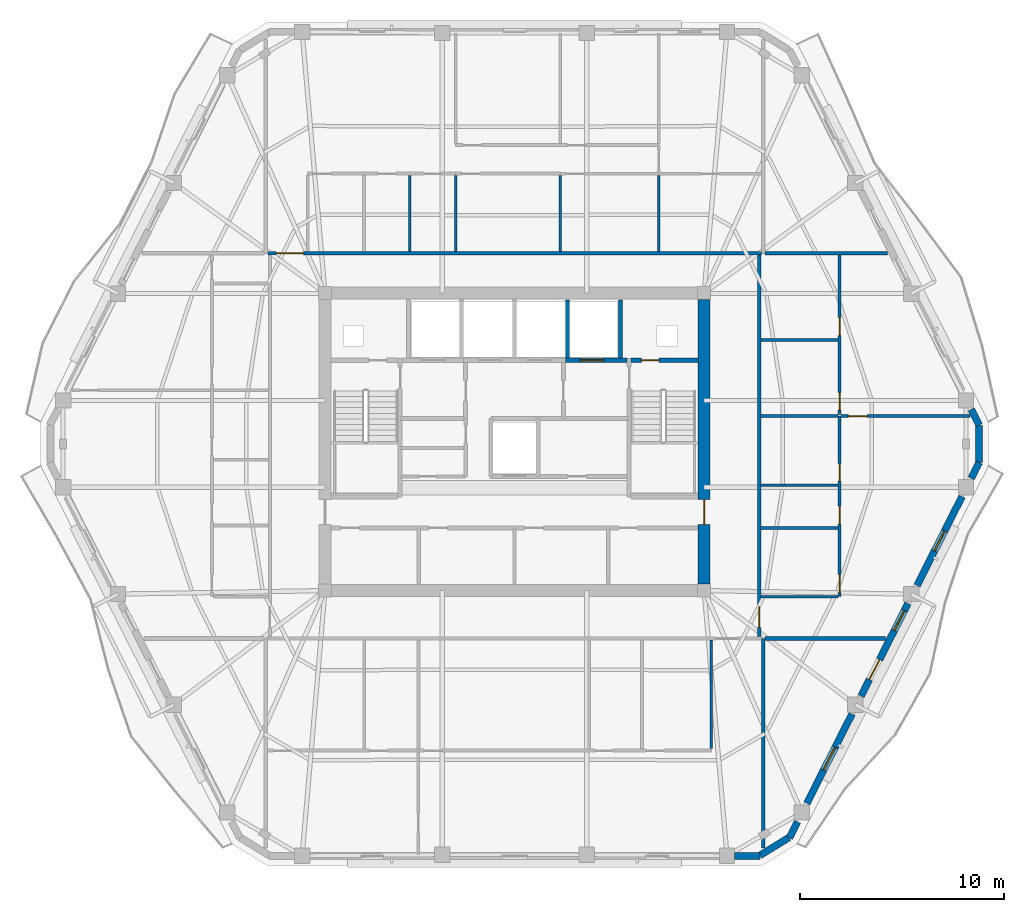
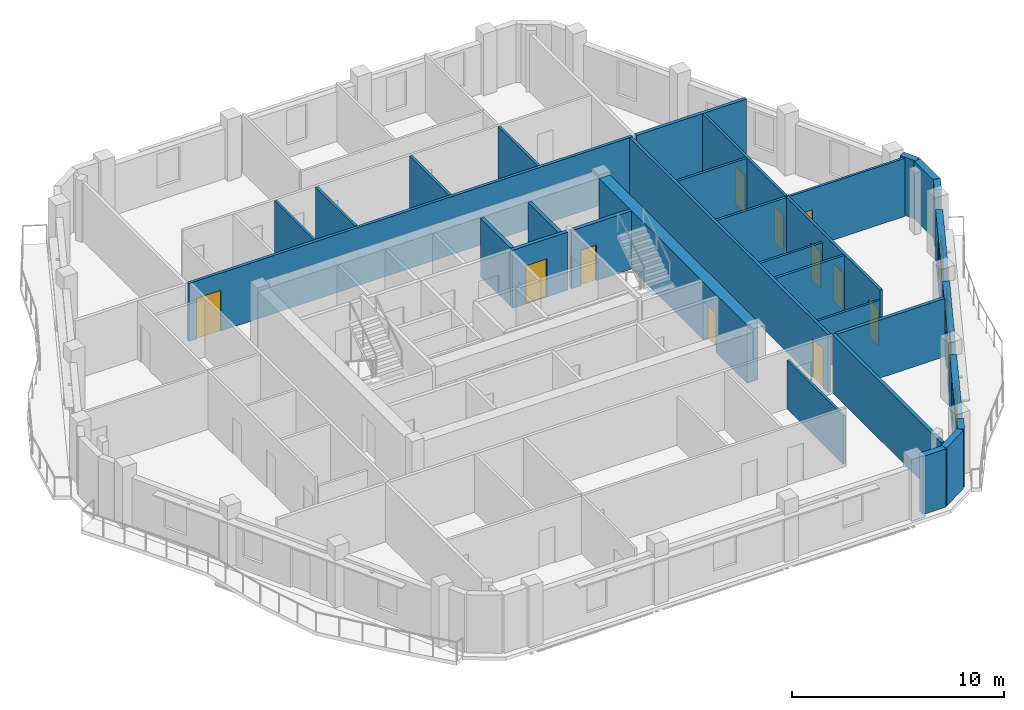
# One storey, part 6 of 12: 32 walls, 12 doors, 3 windows, 15 openings.
"""IFC4 building model written with IfcOpenShell, lengths in metres."""

from ifc_helpers import new_model, si_unit, direction, frame, frame_2d, origin, place, context, subcontext, project, spatial, rectangle, extrude, material, layer, layer_set, type_object, element, fill, save


model = new_model("IFC4")

# Units and contexts
model_context = context("Model", 3, precision=1e-05, world=origin(), true_north=direction((0.0, 1.0)))
body_context = subcontext(model_context, "Body", "Model", "MODEL_VIEW")
ifc_project = project(units=[si_unit("LENGTHUNIT", "METRE"), si_unit("AREAUNIT", "SQUARE_METRE"), si_unit("VOLUMEUNIT", "CUBIC_METRE"), si_unit("PLANEANGLEUNIT", "RADIAN"), si_unit("MASSUNIT", "GRAM", prefix="KILO")], contexts=[model_context])

# Site, building, storey
site_placement = place(None, origin())
site = spatial("IfcSite", under=ifc_project, at=site_placement, CompositionType="ELEMENT")
building_placement = place(site_placement, origin())
building = spatial("IfcBuilding", under=site, at=building_placement, Name="Cinnabar Lancet Tower", CompositionType="ELEMENT")
storey_placement = place(building_placement, frame((0.0, 0.0, 210.949951171875)))
storey = spatial("IfcBuildingStorey", under=building, at=storey_placement, Name="L56", CompositionType="ELEMENT", Elevation=210.949951171875)

# Wall, opening, door
ifc_material_1 = material(Name="Acoustic twin-stud gypsum partition", Category="gypsum")
ifc_layer_1 = layer(ifc_material_1, 0.159912109375)
ifc_layer_set_1 = layer_set([ifc_layer_1], Name="Acoustic twin-stud gypsum partition")
wall_type_1 = type_object("IfcWallType", Name="ARC-WL-CORR-160", PredefinedType="PARTITIONING", material=ifc_layer_set_1)
wall_1_placement = place(storey_placement, frame((20.294921875, 35.14990234375, 0.0), z_axis=(0.0, 0.0, 1.0), x_axis=(1.0, 0.0, 0.0)))
wall_1 = element("IfcWall", 1, at=wall_1_placement, inside=storey, type_object=wall_type_1, Name="L56 Unit N01 Corridor Wall", PredefinedType="PARTITIONING", context=body_context, shape_type="SweptSolid", body=[
    extrude(rectangle(XDim=24.2099609375, YDim=0.159912109375, at=frame_2d((12.10498046875, 0.0))), origin(), (0.0, 0.0, 1.0), 3.35009765625),
])
opening_1_placement = place(wall_1_placement, frame((0.405029296875, 0.0, 0.0)))
opening_1 = element("IfcOpeningElement", 2, at=opening_1_placement, cuts=wall_1, Name="Opening UD-02", PredefinedType="OPENING", context=body_context, shape_type="SweptSolid", body=[
    extrude(rectangle(XDim=1.35009765625, YDim=2.35009765625, at=frame_2d((0.675048828125, 1.175048828125))), frame((0.0, 0.08984375, 0.0), z_axis=(0.0, -1.0, 0.0), x_axis=(1.0, 0.0, 0.0)), (0.0, 0.0, 1.0), 0.179931640625),
])
ifc_material_2 = material(Name="Double-leaf solid timber penthouse entrance door", Category="wood")
door_type_1 = type_object("IfcDoorType", Name="ARC-DR-UNIT-PH", OperationType="NOTDEFINED", PredefinedType="DOOR", material=ifc_material_2)
door_1_placement = place(opening_1_placement, origin())
door_1 = element("IfcDoor", 3, at=door_1_placement, inside=storey, type_object=door_type_1, Name="DR-L56-N01-ENT", OperationType="SINGLE_SWING_LEFT", OverallHeight=2.35009765625, OverallWidth=1.35009765625, PredefinedType="DOOR", context=body_context, shape_type="SweptSolid", body=[
    extrude(rectangle(XDim=1.35009765625, YDim=2.35009765625, at=frame_2d((0.675048828125, 1.175048828125))), frame((0.0, 0.02490234375, 0.0), z_axis=(0.0, -1.0, 0.0), x_axis=(1.0, 0.0, 0.0)), (0.0, 0.0, 1.0), 0.050048828125),
])
fill(opening_1, door_1)

wall_2_placement = place(storey_placement, frame((44.39990234375, 16.344970703125, 0.0), z_axis=(0.0, 0.0, 1.0), x_axis=(0.0, 1.0, 0.0)))
wall_2 = element("IfcWall", 4, at=wall_2_placement, inside=storey, type_object=wall_type_1, Name="UW-L56-E01-COR", PredefinedType="PARTITIONING", context=body_context, shape_type="SweptSolid", body=[
    extrude(rectangle(XDim=18.7099609375, YDim=0.159912109375, at=frame_2d((9.35498046875, 0.0))), origin(), (0.0, 0.0, 1.0), 3.35009765625),
])
opening_2_placement = place(wall_2_placement, frame((0.449951171875, 0.0, 0.0)))
opening_2 = element("IfcOpeningElement", 5, at=opening_2_placement, cuts=wall_2, Name="Opening UD-01", PredefinedType="OPENING", context=body_context, shape_type="SweptSolid", body=[
    extrude(rectangle(XDim=1.02001953125, YDim=2.25, at=frame_2d((0.510009765625, 1.125))), frame((0.0, 0.08984375, 0.0), z_axis=(0.0, -1.0, 0.0), x_axis=(1.0, 0.0, 0.0)), (0.0, 0.0, 1.0), 0.179931640625),
])
ifc_material_3 = material(Name="Solid timber fire-rated apartment entrance door", Category="wood")
door_type_2 = type_object("IfcDoorType", Name="ARC-DR-UNIT", OperationType="NOTDEFINED", PredefinedType="DOOR", material=ifc_material_3)
door_2_placement = place(opening_2_placement, origin())
door_2 = element("IfcDoor", 6, at=door_2_placement, inside=storey, type_object=door_type_2, Name="DR-L56-E01-ENT", OperationType="SINGLE_SWING_LEFT", OverallHeight=2.25, OverallWidth=1.02001953125, PredefinedType="DOOR", context=body_context, shape_type="SweptSolid", body=[
    extrude(rectangle(XDim=1.02001953125, YDim=2.25, at=frame_2d((0.510009765625, 1.125))), frame((0.0, 0.02490234375, 0.0), z_axis=(0.0, -1.0, 0.0), x_axis=(1.0, 0.0, 0.0)), (0.0, 0.0, 1.0), 0.050048828125),
])
fill(opening_2, door_2)

# Walls
ifc_material_4 = material(Name="Fire-rated twin-frame acoustic drywall", Category="gypsum")
ifc_layer_2 = layer(ifc_material_4, 0.179931640625)
ifc_layer_set_2 = layer_set([ifc_layer_2], Name="Fire-rated twin-frame acoustic drywall")
wall_type_2 = type_object("IfcWallType", Name="ARC-WL-PARTY-180", PredefinedType="PARTITIONING", material=ifc_layer_set_2)
wall_3_placement = place(storey_placement, frame((44.60009765625, 5.968017578125, 0.0), z_axis=(0.0, 0.0, 1.0), x_axis=(0.0, 1.0, 0.0)))
element("IfcWall", 7, at=wall_3_placement, inside=storey, type_object=wall_type_2, Name="PW-L56-SPTY-446", PredefinedType="PARTITIONING", context=body_context, shape_type="SweptSolid", body=[
    extrude(rectangle(XDim=10.281982421875, YDim=0.179931640625, at=frame_2d((5.14111328125, 0.0))), origin(), (0.0, 0.0, 1.0), 3.35009765625),
])
wall_4_placement = place(storey_placement, frame((44.695068359375, 16.25, 0.0), z_axis=(0.0, 0.0, 1.0), x_axis=(1.0, 0.0, 0.0)))
element("IfcWall", 8, at=wall_4_placement, inside=storey, type_object=wall_type_2, Name="PW-L56-ESB", PredefinedType="PARTITIONING", context=body_context, shape_type="SweptSolid", body=[
    extrude(rectangle(XDim=5.89404296875, YDim=0.179931640625, at=frame_2d((2.947021484375, 0.0))), origin(), (0.0, 0.0, 1.0), 3.35009765625),
])
wall_5_placement = place(storey_placement, frame((44.695068359375, 35.14990234375, 0.0), z_axis=(0.0, 0.0, 1.0), x_axis=(1.0, 0.0, 0.0)))
element("IfcWall", 9, at=wall_5_placement, inside=storey, type_object=wall_type_2, Name="PW-L56-ENB", PredefinedType="PARTITIONING", context=body_context, shape_type="SweptSolid", body=[
    extrude(rectangle(XDim=5.994873046875, YDim=0.179931640625, at=frame_2d((2.99755859375, 0.0))), origin(), (0.0, 0.0, 1.0), 3.35009765625),
])

# Wall, opening, door
ifc_material_5 = material(Name="Autoclaved aerated concrete blockwork", Category="masonry")
ifc_layer_3 = layer(ifc_material_5, 0.199951171875)
ifc_layer_set_3 = layer_set([ifc_layer_3], Name="Autoclaved aerated concrete blockwork")
wall_type_3 = type_object("IfcWallType", Name="ARC-WL-SHAFT-200", PredefinedType="PLUMBINGWALL", material=ifc_layer_set_3)
wall_6_placement = place(storey_placement, frame((34.89990234375, 29.89990234375, 0.0), z_axis=(0.0, 0.0, 1.0), x_axis=(1.0, 0.0, 0.0)))
wall_6 = element("IfcWall", 10, at=wall_6_placement, inside=storey, type_object=wall_type_3, Name="CW-FL2-L56", PredefinedType="PLUMBINGWALL", context=body_context, shape_type="SweptSolid", body=[
    extrude(rectangle(XDim=3.01513671875, YDim=0.199951171875, at=frame_2d((1.507568359375, 0.0))), origin(), (0.0, 0.0, 1.0), 3.35009765625),
])
opening_3_placement = place(wall_6_placement, frame((0.72509765625, 0.0, 0.0)))
opening_3 = element("IfcOpeningElement", 11, at=opening_3_placement, cuts=wall_6, Name="Opening LD-02", PredefinedType="OPENING", context=body_context, shape_type="SweptSolid", body=[
    extrude(rectangle(XDim=1.14990234375, YDim=2.199951171875, at=frame_2d((0.574951171875, 1.10009765625))), frame((0.0, 0.10986328125, 0.0), z_axis=(0.0, -1.0, 0.0), x_axis=(1.0, 0.0, 0.0)), (0.0, 0.0, 1.0), 0.219970703125),
])
ifc_material_6 = material(Name="Fire-rated stainless steel firefighting lift landing door", Category="steel")
door_type_3 = type_object("IfcDoorType", Name="ARC-DR-LD-FIRE", OperationType="NOTDEFINED", PredefinedType="DOOR", material=ifc_material_6)
door_3_placement = place(opening_3_placement, origin())
door_3 = element("IfcDoor", 12, at=door_3_placement, inside=storey, type_object=door_type_3, Name="L56 Firefighting Lift FL-2 Landing Door", OperationType="DOUBLE_DOOR_SLIDING", OverallHeight=2.199951171875, OverallWidth=1.14990234375, PredefinedType="DOOR", context=body_context, shape_type="SweptSolid", body=[
    extrude(rectangle(XDim=1.14990234375, YDim=2.199951171875, at=frame_2d((0.574951171875, 1.10009765625))), frame((0.0, 0.02490234375, 0.0), z_axis=(0.0, -1.0, 0.0), x_axis=(1.0, 0.0, 0.0)), (0.0, 0.0, 1.0), 0.050048828125),
])
fill(opening_3, door_3)

wall_7_placement = place(storey_placement, frame((38.125, 29.89990234375, 0.0), z_axis=(0.0, 0.0, 1.0), x_axis=(1.0, 0.0, 0.0)))
wall_7 = element("IfcWall", 13, at=wall_7_placement, inside=storey, type_object=wall_type_3, Name="CW-NSH-E-L56", PredefinedType="PLUMBINGWALL", context=body_context, shape_type="SweptSolid", body=[
    extrude(rectangle(XDim=3.27001953125, YDim=0.199951171875, at=frame_2d((1.635009765625, 0.0))), origin(), (0.0, 0.0, 1.0), 3.35009765625),
])
opening_4_placement = place(wall_7_placement, frame((0.5, 0.0, 0.0)))
opening_4 = element("IfcOpeningElement", 14, at=opening_4_placement, cuts=wall_7, Name="Opening PD-02", PredefinedType="OPENING", context=body_context, shape_type="SweptSolid", body=[
    extrude(rectangle(XDim=0.85009765625, YDim=2.050048828125, at=frame_2d((0.425048828125, 1.02490234375))), frame((0.0, 0.10986328125, 0.0), z_axis=(0.0, -1.0, 0.0), x_axis=(1.0, 0.0, 0.0)), (0.0, 0.0, 1.0), 0.219970703125),
])
ifc_material_7 = material(Name="Fire-rated steel riser access door", Category="steel")
door_type_4 = type_object("IfcDoorType", Name="ARC-DR-RISER", OperationType="NOTDEFINED", PredefinedType="DOOR", material=ifc_material_7)
door_4_placement = place(opening_4_placement, origin())
door_4 = element("IfcDoor", 15, at=door_4_placement, inside=storey, type_object=door_type_4, Name="L56 East Riser Access Door", OperationType="SINGLE_SWING_RIGHT", OverallHeight=2.050048828125, OverallWidth=0.85009765625, PredefinedType="DOOR", context=body_context, shape_type="SweptSolid", body=[
    extrude(rectangle(XDim=0.85009765625, YDim=2.050048828125, at=frame_2d((0.425048828125, 1.02490234375))), frame((0.0, 0.02490234375, 0.0), z_axis=(0.0, -1.0, 0.0), x_axis=(1.0, 0.0, 0.0)), (0.0, 0.0, 1.0), 0.050048828125),
])
fill(opening_4, door_4)

# Walls
for number, where, z_axis, x_axis, name in (
    (16, (35.0, 30.0, 0.0), (0.0, 0.0, 1.0), (0.0, 1.0, 0.0), "CW-NSH-D4-L56"),
    (17, (37.60009765625, 30.0, 0.0), (0.0, 0.0, 1.0), (0.0, 1.0, 0.0), "CW-NSH-D5-L56"),
):
    element("IfcWall", number, at=place(storey_placement, frame(where, z_axis=z_axis, x_axis=x_axis)), inside=storey, type_object=wall_type_3, Name=name, PredefinedType="PLUMBINGWALL", context=body_context, shape_type="SweptSolid", body=[
        extrude(rectangle(XDim=2.85009765625, YDim=0.199951171875, at=frame_2d((1.425048828125, 0.0))), origin(), (0.0, 0.0, 1.0), 3.35009765625),
    ])
ifc_material_8 = material(Name="Gypsum plasterboard stud partition", Category="gypsum")
ifc_layer_4 = layer(ifc_material_8, 0.125)
ifc_layer_set_4 = layer_set([ifc_layer_4], Name="Gypsum plasterboard stud partition")
wall_type_4 = type_object("IfcWallType", Name="ARC-WL-UNIT-125", PredefinedType="PARTITIONING", material=ifc_layer_set_4)
wall_8_placement = place(storey_placement, frame((42.050048828125, 10.85693359375, 0.0), z_axis=(0.0, 0.0, 1.0), x_axis=(0.0, 1.0, 0.0)))
element("IfcWall", 18, at=wall_8_placement, inside=storey, type_object=wall_type_4, Name="UW-L56-S01-FOYW", PredefinedType="PARTITIONING", context=body_context, shape_type="SweptSolid", body=[
    extrude(rectangle(XDim=5.30810546875, YDim=0.125, at=frame_2d((2.654052734375, 0.0))), origin(), (0.0, 0.0, 1.0), 2.80712890625),
])
wall_9_placement = place(storey_placement, frame((27.261962890625, 35.235107421875, 0.0), z_axis=(0.0, 0.0, 1.0), x_axis=(0.0, 1.0, 0.0)))
element("IfcWall", 19, at=wall_9_placement, inside=storey, type_object=wall_type_4, Name="UW-L56-N01-STD", PredefinedType="PARTITIONING", context=body_context, shape_type="SweptSolid", body=[
    extrude(rectangle(XDim=3.721923828125, YDim=0.125, at=frame_2d((1.86083984375, 0.0))), origin(), (0.0, 0.0, 1.0), 3.35009765625),
])
wall_10_placement = place(storey_placement, frame((44.485107421875, 18.300048828125, 0.0), z_axis=(0.0, 0.0, 1.0), x_axis=(1.0, 0.0, 0.0)))
element("IfcWall", 20, at=wall_10_placement, inside=storey, type_object=wall_type_4, Name="UW-L56-E01-FOYN", PredefinedType="PARTITIONING", context=body_context, shape_type="SweptSolid", body=[
    extrude(rectangle(XDim=3.77978515625, YDim=0.125, at=frame_2d((1.889892578125, 0.0))), origin(), (0.0, 0.0, 1.0), 2.80712890625),
])

# Wall, opening, door
wall_11_placement = place(storey_placement, frame((48.425048828125, 27.166015625, 0.0), z_axis=(0.0, 0.0, 1.0), x_axis=(1.0, 0.0, 0.0)))
wall_11 = element("IfcWall", 21, at=wall_11_placement, inside=storey, type_object=wall_type_4, Name="UW-L56-E01-MBN", PredefinedType="PARTITIONING", context=body_context, shape_type="SweptSolid", body=[
    extrude(rectangle(XDim=6.320068359375, YDim=0.125, at=frame_2d((3.16015625, 0.0))), origin(), (0.0, 0.0, 1.0), 3.35009765625),
])
opening_5_placement = place(wall_11_placement, frame((0.35009765625, 0.0, 0.0)))
opening_5 = element("IfcOpeningElement", 22, at=opening_5_placement, cuts=wall_11, Name="Opening RD-01", PredefinedType="OPENING", context=body_context, shape_type="SweptSolid", body=[
    extrude(rectangle(XDim=0.919921875, YDim=2.14990234375, at=frame_2d((0.4599609375, 1.074951171875))), frame((0.0, 0.072509765625, 0.0), z_axis=(0.0, -1.0, 0.0), x_axis=(1.0, 0.0, 0.0)), (0.0, 0.0, 1.0), 0.14501953125),
])
ifc_material_9 = material(Name="Engineered timber bedroom door", Category="wood")
door_type_5 = type_object("IfcDoorType", Name="ARC-DR-ROOM", OperationType="NOTDEFINED", PredefinedType="DOOR", material=ifc_material_9)
door_5_placement = place(opening_5_placement, origin())
door_5 = element("IfcDoor", 23, at=door_5_placement, inside=storey, type_object=door_type_5, Name="DR-L56-E01-MBD", OperationType="SINGLE_SWING_LEFT", OverallHeight=2.14990234375, OverallWidth=0.919921875, PredefinedType="DOOR", context=body_context, shape_type="SweptSolid", body=[
    extrude(rectangle(XDim=0.919921875, YDim=2.14990234375, at=frame_2d((0.4599609375, 1.074951171875))), frame((0.0, 0.02490234375, 0.0), z_axis=(0.0, -1.0, 0.0), x_axis=(1.0, 0.0, 0.0)), (0.0, 0.0, 1.0), 0.050048828125),
])
fill(opening_5, door_5)

# Walls
wall_12_placement = place(storey_placement, frame((44.485107421875, 23.76611328125, 0.0), z_axis=(0.0, 0.0, 1.0), x_axis=(1.0, 0.0, 0.0)))
element("IfcWall", 24, at=wall_12_placement, inside=storey, type_object=wall_type_4, Name="UW-L56-E01-UDV", PredefinedType="PARTITIONING", context=body_context, shape_type="SweptSolid", body=[
    extrude(rectangle(XDim=3.77978515625, YDim=0.125, at=frame_2d((1.889892578125, 0.0))), origin(), (0.0, 0.0, 1.0), 2.80712890625),
])
ifc_material_10 = material(Name="Moisture-resistant cement-board plumbing wall", Category="masonry")
ifc_layer_5 = layer(ifc_material_10, 0.139892578125)
ifc_layer_set_5 = layer_set([ifc_layer_5], Name="Moisture-resistant cement-board plumbing wall")
wall_type_5 = type_object("IfcWallType", Name="ARC-WL-WET-140", PredefinedType="PLUMBINGWALL", material=ifc_layer_set_5)
for number, where, z_axis, x_axis, name in (
    (25, (29.513916015625, 35.235107421875, 0.0), (0.0, 0.0, 1.0), (0.0, 1.0, 0.0), "UW-L56-N01-ENSW"),
    (26, (34.64306640625, 35.235107421875, 0.0), (0.0, 0.0, 1.0), (0.0, 1.0, 0.0), "UW-L56-N01-ENSE"),
    (27, (39.470947265625, 35.235107421875, 0.0), (0.0, 0.0, 1.0), (0.0, 1.0, 0.0), "UW-L56-N01-UT3"),
):
    element("IfcWall", number, at=place(storey_placement, frame(where, z_axis=z_axis, x_axis=x_axis)), inside=storey, type_object=wall_type_5, Name=name, PredefinedType="PLUMBINGWALL", context=body_context, shape_type="SweptSolid", body=[
        extrude(rectangle(XDim=3.721923828125, YDim=0.139892578125, at=frame_2d((1.86083984375, 0.0))), origin(), (0.0, 0.0, 1.0), 3.35009765625),
    ])

# Wall, openings, doors
wall_13_placement = place(storey_placement, frame((48.35009765625, 18.300048828125, 0.0), z_axis=(0.0, 0.0, 1.0), x_axis=(0.0, 1.0, 0.0)))
wall_13 = element("IfcWall", 28, at=wall_13_placement, inside=storey, type_object=wall_type_5, Name="UW-L56-E01-SPL", PredefinedType="PLUMBINGWALL", context=body_context, shape_type="SweptSolid", body=[
    extrude(rectangle(XDim=8.865966796875, YDim=0.139892578125, at=frame_2d((4.43310546875, 0.0))), origin(), (0.0, 0.0, 1.0), 3.35009765625),
])
opening_6_placement = place(wall_13_placement, frame((0.199951171875, 0.0, 0.0)))
opening_6 = element("IfcOpeningElement", 29, at=opening_6_placement, cuts=wall_13, Name="Opening RD-02", PredefinedType="OPENING", context=body_context, shape_type="SweptSolid", body=[
    extrude(rectangle(XDim=0.8798828125, YDim=2.14990234375, at=frame_2d((0.43994140625, 1.074951171875))), frame((0.0, 0.079833984375, 0.0), z_axis=(0.0, -1.0, 0.0), x_axis=(1.0, 0.0, 0.0)), (0.0, 0.0, 1.0), 0.159912109375),
])
opening_7_placement = place(wall_13_placement, frame((3.569091796875, 0.0, 0.0)))
opening_7 = element("IfcOpeningElement", 30, at=opening_7_placement, cuts=wall_13, Name="Opening RD-02", PredefinedType="OPENING", context=body_context, shape_type="SweptSolid", body=[
    extrude(rectangle(XDim=0.8798828125, YDim=2.14990234375, at=frame_2d((0.43994140625, 1.074951171875))), frame((0.0, 0.079833984375, 0.0), z_axis=(0.0, -1.0, 0.0), x_axis=(1.0, 0.0, 0.0)), (0.0, 0.0, 1.0), 0.159912109375),
])
opening_8_placement = place(wall_13_placement, frame((5.666015625, 0.0, 0.0)))
opening_8 = element("IfcOpeningElement", 31, at=opening_8_placement, cuts=wall_13, Name="Opening BD-01", PredefinedType="OPENING", context=body_context, shape_type="SweptSolid", body=[
    extrude(rectangle(XDim=0.860107421875, YDim=2.10009765625, at=frame_2d((0.43017578125, 1.050048828125))), frame((0.0, 0.079833984375, 0.0), z_axis=(0.0, -1.0, 0.0), x_axis=(1.0, 0.0, 0.0)), (0.0, 0.0, 1.0), 0.159912109375),
])
ifc_material_11 = material(Name="Moisture-resistant timber bathroom door", Category="wood")
door_type_6 = type_object("IfcDoorType", Name="ARC-DR-BATH", OperationType="NOTDEFINED", PredefinedType="DOOR", material=ifc_material_11)
door_6_placement = place(opening_8_placement, origin())
door_6 = element("IfcDoor", 32, at=door_6_placement, inside=storey, type_object=door_type_6, Name="DR-L56-E01-BTH", OperationType="SINGLE_SWING_RIGHT", OverallHeight=2.10009765625, OverallWidth=0.860107421875, PredefinedType="DOOR", context=body_context, shape_type="SweptSolid", body=[
    extrude(rectangle(XDim=0.860107421875, YDim=2.10009765625, at=frame_2d((0.43017578125, 1.050048828125))), frame((0.0, 0.02490234375, 0.0), z_axis=(0.0, -1.0, 0.0), x_axis=(1.0, 0.0, 0.0)), (0.0, 0.0, 1.0), 0.050048828125),
])
fill(opening_8, door_6)
ifc_material_12 = material(Name="Engineered timber study door", Category="wood")
door_type_7 = type_object("IfcDoorType", Name="ARC-DR-STUDY", OperationType="NOTDEFINED", PredefinedType="DOOR", material=ifc_material_12)
door_7_placement = place(opening_6_placement, origin())
door_7 = element("IfcDoor", 33, at=door_7_placement, inside=storey, type_object=door_type_7, Name="DR-L56-E01-KIT", OperationType="SINGLE_SWING_RIGHT", OverallHeight=2.14990234375, OverallWidth=0.8798828125, PredefinedType="DOOR", context=body_context, shape_type="SweptSolid", body=[
    extrude(rectangle(XDim=0.8798828125, YDim=2.14990234375, at=frame_2d((0.43994140625, 1.074951171875))), frame((0.0, 0.02490234375, 0.0), z_axis=(0.0, -1.0, 0.0), x_axis=(1.0, 0.0, 0.0)), (0.0, 0.0, 1.0), 0.050048828125),
])
fill(opening_6, door_7)
door_8_placement = place(opening_7_placement, origin())
door_8 = element("IfcDoor", 34, at=door_8_placement, inside=storey, type_object=door_type_7, Name="DR-L56-E01-UTL", OperationType="SINGLE_SWING_LEFT", OverallHeight=2.14990234375, OverallWidth=0.8798828125, PredefinedType="DOOR", context=body_context, shape_type="SweptSolid", body=[
    extrude(rectangle(XDim=0.8798828125, YDim=2.14990234375, at=frame_2d((0.43994140625, 1.074951171875))), frame((0.0, 0.02490234375, 0.0), z_axis=(0.0, -1.0, 0.0), x_axis=(1.0, 0.0, 0.0)), (0.0, 0.0, 1.0), 0.050048828125),
])
fill(opening_7, door_8)

wall_14_placement = place(storey_placement, frame((48.35009765625, 27.236083984375, 0.0), z_axis=(0.0, 0.0, 1.0), x_axis=(0.0, 1.0, 0.0)))
wall_14 = element("IfcWall", 35, at=wall_14_placement, inside=storey, type_object=wall_type_5, Name="UW-L56-E01-SPM", PredefinedType="PLUMBINGWALL", context=body_context, shape_type="SweptSolid", body=[
    extrude(rectangle(XDim=7.81884765625, YDim=0.139892578125, at=frame_2d((3.909423828125, 0.0))), origin(), (0.0, 0.0, 1.0), 3.35009765625),
])
opening_9_placement = place(wall_14_placement, frame((0.219970703125, 0.0, 0.0)))
opening_9 = element("IfcOpeningElement", 36, at=opening_9_placement, cuts=wall_14, Name="Opening BD-01", PredefinedType="OPENING", context=body_context, shape_type="SweptSolid", body=[
    extrude(rectangle(XDim=0.860107421875, YDim=2.10009765625, at=frame_2d((0.43017578125, 1.050048828125))), frame((0.0, 0.079833984375, 0.0), z_axis=(0.0, -1.0, 0.0), x_axis=(1.0, 0.0, 0.0)), (0.0, 0.0, 1.0), 0.159912109375),
])
opening_10_placement = place(wall_14_placement, frame((3.8798828125, 0.0, 0.0)))
opening_10 = element("IfcOpeningElement", 37, at=opening_10_placement, cuts=wall_14, Name="Opening RD-02", PredefinedType="OPENING", context=body_context, shape_type="SweptSolid", body=[
    extrude(rectangle(XDim=0.8798828125, YDim=2.14990234375, at=frame_2d((0.43994140625, 1.074951171875))), frame((0.0, 0.079833984375, 0.0), z_axis=(0.0, -1.0, 0.0), x_axis=(1.0, 0.0, 0.0)), (0.0, 0.0, 1.0), 0.159912109375),
])
door_9_placement = place(opening_9_placement, origin())
door_9 = element("IfcDoor", 38, at=door_9_placement, inside=storey, type_object=door_type_6, Name="DR-L56-E01-ENS", OperationType="SINGLE_SWING_LEFT", OverallHeight=2.10009765625, OverallWidth=0.860107421875, PredefinedType="DOOR", context=body_context, shape_type="SweptSolid", body=[
    extrude(rectangle(XDim=0.860107421875, YDim=2.10009765625, at=frame_2d((0.43017578125, 1.050048828125))), frame((0.0, 0.02490234375, 0.0), z_axis=(0.0, -1.0, 0.0), x_axis=(1.0, 0.0, 0.0)), (0.0, 0.0, 1.0), 0.050048828125),
])
fill(opening_9, door_9)
door_10_placement = place(opening_10_placement, origin())
door_10 = element("IfcDoor", 39, at=door_10_placement, inside=storey, type_object=door_type_7, Name="DR-L56-E01-EWDR", OperationType="SINGLE_SWING_RIGHT", OverallHeight=2.14990234375, OverallWidth=0.8798828125, PredefinedType="DOOR", context=body_context, shape_type="SweptSolid", body=[
    extrude(rectangle(XDim=0.8798828125, YDim=2.14990234375, at=frame_2d((0.43994140625, 1.074951171875))), frame((0.0, 0.02490234375, 0.0), z_axis=(0.0, -1.0, 0.0), x_axis=(1.0, 0.0, 0.0)), (0.0, 0.0, 1.0), 0.050048828125),
])
fill(opening_10, door_10)

# Walls
for number, where, z_axis, x_axis, name in (
    (40, (44.485107421875, 27.166015625, 0.0), (0.0, 0.0, 1.0), (1.0, 0.0, 0.0), "UW-L56-E01-ENSN"),
    (41, (44.485107421875, 21.6689453125, 0.0), (0.0, 0.0, 1.0), (1.0, 0.0, 0.0), "UW-L56-E01-KDV"),
    (42, (44.485107421875, 30.89599609375, 0.0), (0.0, 0.0, 1.0), (1.0, 0.0, 0.0), "UW-L56-E01-EWDV"),
):
    element("IfcWall", number, at=place(storey_placement, frame(where, z_axis=z_axis, x_axis=x_axis)), inside=storey, type_object=wall_type_5, Name=name, PredefinedType="PLUMBINGWALL", context=body_context, shape_type="SweptSolid", body=[
        extrude(rectangle(XDim=3.77978515625, YDim=0.139892578125, at=frame_2d((1.889892578125, 0.0))), origin(), (0.0, 0.0, 1.0), 3.35009765625),
    ])
ifc_material_13 = material(Name="Cinnabar red clay brick", Category="masonry")
ifc_layer_6 = layer(ifc_material_13, 0.340087890625)
ifc_layer_set_6 = layer_set([ifc_layer_6], Name="Cinnabar red clay brick")
wall_type_6 = type_object("IfcWallType", Name="ENV-WL-BRK-RED-340", PredefinedType="STANDARD", material=ifc_layer_set_6)
wall_15_placement = place(storey_placement, frame((44.43310546875, 5.60498046875, 0.0), z_axis=(0.0, 0.0, 1.0), x_axis=(0.851778214877, 0.523902541185, 0.0)))
element("IfcWall", 43, at=wall_15_placement, inside=storey, type_object=wall_type_6, Name="L56 Chamfered Corner Brick Pier 2.1", PredefinedType="STANDARD", context=body_context, shape_type="SweptSolid", body=[
    extrude(rectangle(XDim=1.677734375, YDim=0.340087890625, at=frame_2d((0.8388671875, 0.0))), origin(), (0.0, 0.0, 1.0), 3.35009765625),
])
wall_16_placement = place(storey_placement, frame((55.177978515625, 24.89208984375, 0.0), z_axis=(0.0, 0.0, 1.0), x_axis=(0.0, 1.0, 0.0)))
element("IfcWall", 44, at=wall_16_placement, inside=storey, type_object=wall_type_6, Name="L56 Chamfered Corner Brick Pier 3.1", PredefinedType="STANDARD", context=body_context, shape_type="SweptSolid", body=[
    extrude(rectangle(XDim=1.81591796875, YDim=0.340087890625, at=frame_2d((0.907958984375, 0.0))), origin(), (0.0, 0.0, 1.0), 3.35009765625),
])
wall_17_placement = place(storey_placement, frame((43.199951171875, 5.580078125, 0.0), z_axis=(0.0, 0.0, 1.0), x_axis=(1.0, 0.0, 0.0)))
element("IfcWall", 45, at=wall_17_placement, inside=storey, type_object=wall_type_6, Name="L56 Face 1 Masonry Bay Wall 5", PredefinedType="STANDARD", context=body_context, shape_type="SweptSolid", body=[
    extrude(rectangle(XDim=1.238037109375, YDim=0.340087890625, at=frame_2d((0.619140625, 0.0))), origin(), (0.0, 0.0, 1.0), 3.35009765625),
])
wall_18_placement = place(storey_placement, frame((45.882080078125, 6.468017578125, 0.0), z_axis=(0.0, 0.0, 1.0), x_axis=(0.451597983141, 0.892221531697, 0.0)))
element("IfcWall", 46, at=wall_18_placement, inside=storey, type_object=wall_type_6, Name="L56 Face 2 Masonry Bay Wall 1", PredefinedType="STANDARD", context=body_context, shape_type="SweptSolid", body=[
    extrude(rectangle(XDim=0.889892578125, YDim=0.340087890625, at=frame_2d((0.44482421875, 0.0))), origin(), (0.0, 0.0, 1.0), 3.35009765625),
])

# Wall, opening, window
wall_19_placement = place(storey_placement, frame((46.739990234375, 8.1640625, 0.0), z_axis=(0.0, 0.0, 1.0), x_axis=(0.451544279509, 0.892248711763, 0.0)))
wall_19 = element("IfcWall", 47, at=wall_19_placement, inside=storey, type_object=wall_type_6, Name="L56 Face 2 Masonry Bay Wall 2", PredefinedType="STANDARD", context=body_context, shape_type="SweptSolid", body=[
    extrude(rectangle(XDim=4.909912109375, YDim=0.340087890625, at=frame_2d((2.455078125, 0.0))), origin(), (0.0, 0.0, 1.0), 2.883056640625),
])
opening_11_placement = place(wall_19_placement, frame((1.830078125, 0.0, 0.75)))
opening_11 = element("IfcOpeningElement", 48, at=opening_11_placement, cuts=wall_19, Name="Opening WN-03", PredefinedType="OPENING", context=body_context, shape_type="SweptSolid", body=[
    extrude(rectangle(XDim=1.25, YDim=1.949951171875, at=frame_2d((0.625, 0.97509765625))), frame((0.0, 0.179931640625, 0.0), z_axis=(0.0, -1.0, 0.0), x_axis=(1.0, 0.0, 0.0)), (0.0, 0.0, 1.0), 0.360107421875),
])
ifc_material_14 = material(Name="Thermally broken bronze-anodized aluminium low-E double glazing", Category="aluminium")
window_type_1 = type_object("IfcWindowType", Name="ENV-WN-LANCET-1250", PartitioningType="SINGLE_PANEL", PredefinedType="WINDOW", material=ifc_material_14)
window_1_placement = place(opening_11_placement, origin())
window_1 = element("IfcWindow", 49, at=window_1_placement, inside=storey, type_object=window_type_1, Name="L56 Face 2 Gothic Lancet Window 2", OverallHeight=1.949951171875, OverallWidth=1.25, PartitioningType="SINGLE_PANEL", PredefinedType="WINDOW", context=body_context, shape_type="SweptSolid", body=[
    extrude(rectangle(XDim=1.25, YDim=1.949951171875, at=frame_2d((0.625, 0.97509765625))), frame((0.0, 0.030029296875, 0.0), z_axis=(0.0, -1.0, 0.0), x_axis=(1.0, 0.0, 0.0)), (0.0, 0.0, 1.0), 0.06005859375),
])
fill(opening_11, window_1)

# Wall, openings, door, window
wall_20_placement = place(storey_placement, frame((49.403076171875, 13.427001953125, 0.0), z_axis=(0.0, 0.0, 1.0), x_axis=(0.451425765525, 0.892308678777, 0.0)))
wall_20 = element("IfcWall", 50, at=wall_20_placement, inside=storey, type_object=wall_type_6, Name="L56 Face 2 Masonry Bay Wall 3", PredefinedType="STANDARD", context=body_context, shape_type="SweptSolid", body=[
    extrude(rectangle(XDim=5.094482421875, YDim=0.340087890625, at=frame_2d((2.54736328125, 0.0))), origin(), (0.0, 0.0, 1.0), 2.883056640625),
])
opening_12_placement = place(wall_20_placement, frame((0.906982421875, 0.0, 0.0)))
opening_12 = element("IfcOpeningElement", 51, at=opening_12_placement, cuts=wall_20, Name="Opening TD-01", PredefinedType="OPENING", context=body_context, shape_type="SweptSolid", body=[
    extrude(rectangle(XDim=1.10009765625, YDim=2.25, at=frame_2d((0.550048828125, 1.125))), frame((0.0, 0.179931640625, 0.0), z_axis=(0.0, -1.0, 0.0), x_axis=(1.0, 0.0, 0.0)), (0.0, 0.0, 1.0), 0.360107421875),
])
opening_13_placement = place(wall_20_placement, frame((3.60009765625, 0.0, 0.75)))
opening_13 = element("IfcOpeningElement", 52, at=opening_13_placement, cuts=wall_20, Name="Opening WN-04", PredefinedType="OPENING", context=body_context, shape_type="SweptSolid", body=[
    extrude(rectangle(XDim=1.10009765625, YDim=1.98291015625, at=frame_2d((0.550048828125, 0.991455078125))), frame((0.0, 0.179931640625, 0.0), z_axis=(0.0, -1.0, 0.0), x_axis=(1.0, 0.0, 0.0)), (0.0, 0.0, 1.0), 0.360107421875),
])
ifc_material_15 = material(Name="Thermally broken low-E glazed balcony terrace door", Category="wood")
door_type_8 = type_object("IfcDoorType", Name="ARC-DR-BALC", OperationType="NOTDEFINED", PredefinedType="DOOR", material=ifc_material_15)
door_11_placement = place(opening_12_placement, origin())
door_11 = element("IfcDoor", 53, at=door_11_placement, inside=storey, type_object=door_type_8, Name="L56 Face 2 Glazed Terrace Door", OperationType="SINGLE_SWING_RIGHT", OverallHeight=2.25, OverallWidth=1.10009765625, PredefinedType="DOOR", context=body_context, shape_type="SweptSolid", body=[
    extrude(rectangle(XDim=1.10009765625, YDim=2.25, at=frame_2d((0.550048828125, 1.125))), frame((0.0, 0.02490234375, 0.0), z_axis=(0.0, -1.0, 0.0), x_axis=(1.0, 0.0, 0.0)), (0.0, 0.0, 1.0), 0.050048828125),
])
fill(opening_12, door_11)
ifc_material_16 = material(Name="Thermally broken bronze-anodized aluminium tall lancet window", Category="aluminium")
window_type_2 = type_object("IfcWindowType", Name="ENV-WN-LANCET-1100", PartitioningType="SINGLE_PANEL", PredefinedType="WINDOW", material=ifc_material_16)
window_2_placement = place(opening_13_placement, origin())
window_2 = element("IfcWindow", 54, at=window_2_placement, inside=storey, type_object=window_type_2, Name="L56 Split-Bay Gothic Lancet Window 192", OverallHeight=1.98291015625, OverallWidth=1.10009765625, PartitioningType="SINGLE_PANEL", PredefinedType="WINDOW", context=body_context, shape_type="SweptSolid", body=[
    extrude(rectangle(XDim=1.10009765625, YDim=1.98291015625, at=frame_2d((0.550048828125, 0.991455078125))), frame((0.0, 0.030029296875, 0.0), z_axis=(0.0, -1.0, 0.0), x_axis=(1.0, 0.0, 0.0)), (0.0, 0.0, 1.0), 0.06005859375),
])
fill(opening_13, window_2)

# Wall, opening, window
wall_21_placement = place(storey_placement, frame((52.14697265625, 18.85302734375, 0.0), z_axis=(0.0, 0.0, 1.0), x_axis=(0.451566029745, 0.892237704191, 0.0)))
wall_21 = element("IfcWall", 55, at=wall_21_placement, inside=storey, type_object=wall_type_6, Name="L56 Face 2 Masonry Bay Wall 4", PredefinedType="STANDARD", context=body_context, shape_type="SweptSolid", body=[
    extrude(rectangle(XDim=4.88525390625, YDim=0.340087890625, at=frame_2d((2.442626953125, 0.0))), origin(), (0.0, 0.0, 1.0), 2.883056640625),
])
opening_14_placement = place(wall_21_placement, frame((1.89306640625, 0.0, 0.75)))
opening_14 = element("IfcOpeningElement", 56, at=opening_14_placement, cuts=wall_21, Name="Opening WN-04", PredefinedType="OPENING", context=body_context, shape_type="SweptSolid", body=[
    extrude(rectangle(XDim=1.10009765625, YDim=1.98291015625, at=frame_2d((0.550048828125, 0.991455078125))), frame((0.0, 0.179931640625, 0.0), z_axis=(0.0, -1.0, 0.0), x_axis=(1.0, 0.0, 0.0)), (0.0, 0.0, 1.0), 0.360107421875),
])
window_3_placement = place(opening_14_placement, origin())
window_3 = element("IfcWindow", 57, at=window_3_placement, inside=storey, type_object=window_type_2, Name="L56 Face 2 Gothic Lancet Window 4", OverallHeight=1.98291015625, OverallWidth=1.10009765625, PartitioningType="SINGLE_PANEL", PredefinedType="WINDOW", context=body_context, shape_type="SweptSolid", body=[
    extrude(rectangle(XDim=1.10009765625, YDim=1.98291015625, at=frame_2d((0.550048828125, 0.991455078125))), frame((0.0, 0.030029296875, 0.0), z_axis=(0.0, -1.0, 0.0), x_axis=(1.0, 0.0, 0.0)), (0.0, 0.0, 1.0), 0.06005859375),
])
fill(opening_14, window_3)

# Walls
wall_22_placement = place(storey_placement, frame((54.805908203125, 24.10693359375, 0.0), z_axis=(0.0, 0.0, 1.0), x_axis=(0.450906649871, 0.892571113751, 0.0)))
element("IfcWall", 58, at=wall_22_placement, inside=storey, type_object=wall_type_6, Name="L56 Face 2 Masonry Bay Wall 5", PredefinedType="STANDARD", context=body_context, shape_type="SweptSolid", body=[
    extrude(rectangle(XDim=0.871826171875, YDim=0.340087890625, at=frame_2d((0.43603515625, 0.0))), origin(), (0.0, 0.0, 1.0), 3.35009765625),
])
wall_23_placement = place(storey_placement, frame((55.198974609375, 26.715087890625, 0.0), z_axis=(0.0, 0.0, 1.0), x_axis=(-0.451019391667, 0.892514150218, 0.0)))
element("IfcWall", 59, at=wall_23_placement, inside=storey, type_object=wall_type_6, Name="L56 Face 3 Masonry Bay Wall 1", PredefinedType="STANDARD", context=body_context, shape_type="SweptSolid", body=[
    extrude(rectangle(XDim=0.87158203125, YDim=0.340087890625, at=frame_2d((0.435791015625, 0.0))), origin(), (0.0, 0.0, 1.0), 3.35009765625),
])

# Wall, opening, door
ifc_material_17 = material(Name="Concrete C60/75", Category="concrete")
ifc_layer_7 = layer(ifc_material_17, 0.60009765625)
ifc_layer_set_7 = layer_set([ifc_layer_7], Name="Concrete C60/75")
wall_type_7 = type_object("IfcWallType", Name="STR-WL-CORE-600", PredefinedType="SHEAR", material=ifc_layer_set_7)
wall_24_placement = place(storey_placement, frame((41.699951171875, 18.925048828125, 0.0), z_axis=(0.0, 0.0, 1.0), x_axis=(0.0, 1.0, 0.0)))
wall_24 = element("IfcWall", 60, at=wall_24_placement, inside=storey, type_object=wall_type_7, Name="L56 Core Shear Wall E", PredefinedType="SHEAR", context=body_context, shape_type="SweptSolid", body=[
    extrude(rectangle(XDim=13.949951171875, YDim=0.60009765625, at=frame_2d((6.97509765625, 0.0))), origin(), (0.0, 0.0, 1.0), 3.35009765625),
])
opening_15_placement = place(wall_24_placement, frame((2.9150390625, 0.0, 0.0)))
opening_15 = element("IfcOpeningElement", 61, at=opening_15_placement, cuts=wall_24, Name="Opening FD-02", PredefinedType="OPENING", context=body_context, shape_type="SweptSolid", body=[
    extrude(rectangle(XDim=1.219970703125, YDim=2.25, at=frame_2d((0.60986328125, 1.125))), frame((0.0, 0.31005859375, 0.0), z_axis=(0.0, -1.0, 0.0), x_axis=(1.0, 0.0, 0.0)), (0.0, 0.0, 1.0), 0.6201171875),
])
ifc_material_18 = material(Name="Fire-rated double-vision core portal door", Category="wood")
door_type_9 = type_object("IfcDoorType", Name="ARC-DR-CPORT", OperationType="NOTDEFINED", PredefinedType="DOOR", material=ifc_material_18)
door_12_placement = place(opening_15_placement, origin())
door_12 = element("IfcDoor", 62, at=door_12_placement, inside=storey, type_object=door_type_9, Name="L56 East Core Lobby Fire Door", OperationType="SINGLE_SWING_LEFT", OverallHeight=2.25, OverallWidth=1.219970703125, PredefinedType="DOOR", context=body_context, shape_type="SweptSolid", body=[
    extrude(rectangle(XDim=1.219970703125, YDim=2.25, at=frame_2d((0.60986328125, 1.125))), frame((0.0, 0.02490234375, 0.0), z_axis=(0.0, -1.0, 0.0), x_axis=(1.0, 0.0, 0.0)), (0.0, 0.0, 1.0), 0.050048828125),
])
fill(opening_15, door_12)

save(model, "model.ifc")
